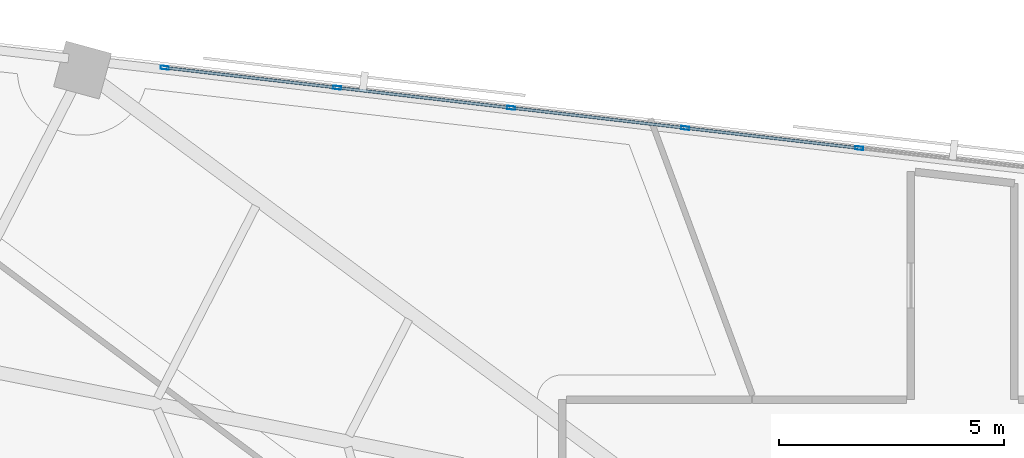
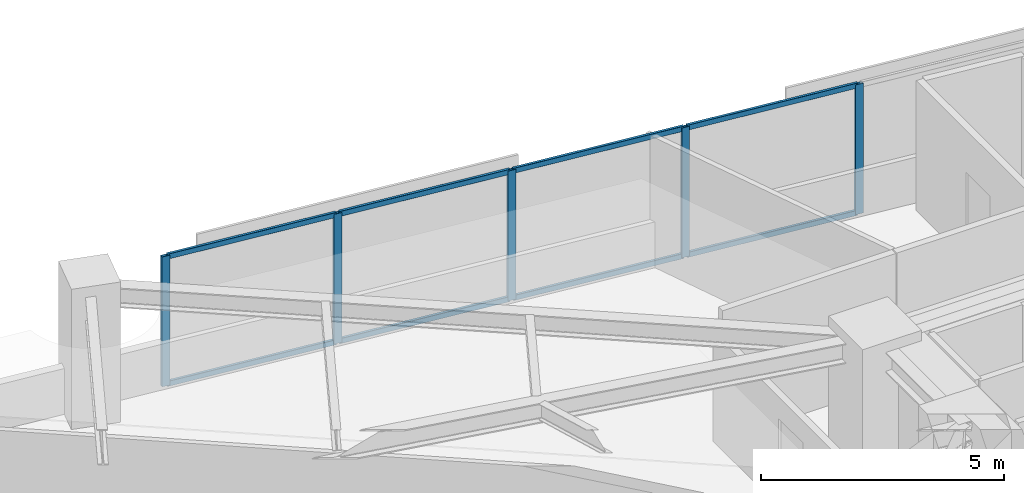
# One storey, part 7 of 13: 13 members, 1 element without a shape of its own.
"""IFC4 building model written with IfcOpenShell, lengths in metres."""

from ifc_helpers import new_model, si_unit, direction, frame, origin, origin_2d, place, context, subcontext, project, spatial, hollow_rectangle, extrude, material, material_profile, profile_set, type_object, element, aggregate, save


model = new_model("IFC4")

# Units and contexts
model_context = context("Model", 3, precision=1e-05, world=origin(), true_north=direction((0.0, 1.0)))
body_context = subcontext(model_context, "Body", "Model", "MODEL_VIEW")
ifc_project = project(units=[si_unit("LENGTHUNIT", "METRE"), si_unit("AREAUNIT", "SQUARE_METRE"), si_unit("VOLUMEUNIT", "CUBIC_METRE"), si_unit("PLANEANGLEUNIT", "RADIAN"), si_unit("MASSUNIT", "GRAM", prefix="KILO")], contexts=[model_context])

# Site, building, storey
site_placement = place(None, origin())
site = spatial("IfcSite", under=ifc_project, at=site_placement, CompositionType="ELEMENT")
building_placement = place(site_placement, origin())
building = spatial("IfcBuilding", under=site, at=building_placement, Name="Narakoshi Arena Tower", CompositionType="ELEMENT")
storey_placement = place(building_placement, frame((0.0, 0.0, 222.02001953125)))
storey = spatial("IfcBuildingStorey", under=building, at=storey_placement, Name="L60", CompositionType="ELEMENT", Elevation=222.02001953125)

# Curtain wall, members
ifc_material = material(Name="Anodised bronze aluminium 6063-T6", Category="aluminium")
curtain_wall_type = type_object("IfcCurtainWallType", Name="CW-HYP-MID", PredefinedType="NOTDEFINED", material=ifc_material)
curtain_wall_placement = place(storey_placement, origin())
curtain_wall = element("IfcCurtainWall", 1, at=curtain_wall_placement, inside=storey, type_object=curtain_wall_type, Name="L60 Folded Hypotenuse Curtain Wall 2-1", PredefinedType="NOTDEFINED")
ifc_material_profile_1 = material_profile(ifc_material, hollow_rectangle(XDim=0.074951171875, YDim=0.179931640625, WallThickness=0.00390625, OuterFilletRadius=0.0048828125, at=origin_2d()), Name="MUL180x75x4")
ifc_profile_set_1 = profile_set([ifc_material_profile_1], Name="Anodised bronze aluminium 6063-T6")
member_type_1 = type_object("IfcMemberType", Name="MEM-MUL-180", PredefinedType="MULLION", material=ifc_profile_set_1)
member_1_placement = place(storey_placement, frame((76.20068359375, 64.446533203125, 0.0), z_axis=(0.0, 0.0, 1.0), x_axis=(-0.115011296816, -0.993364183774, 0.0)))
member_1 = element("IfcMember", 2, at=member_1_placement, type_object=member_type_1, Name="CW-02 mullion 3", PredefinedType="MULLION", context=body_context, shape_type="SweptSolid", body=[
    extrude(hollow_rectangle(XDim=0.074951171875, YDim=0.179931640625, WallThickness=0.00390625, OuterFilletRadius=0.0048828125, at=origin_2d()), origin(), (0.0, 0.0, 1.0), 3.260009765625),
])
member_2_placement = place(storey_placement, frame((72.33154296875, 64.894287109375, 0.0), z_axis=(0.0, 0.0, 1.0), x_axis=(-0.115011296816, -0.993364183774, 0.0)))
member_2 = element("IfcMember", 3, at=member_2_placement, type_object=member_type_1, Name="CW-02 mullion 4", PredefinedType="MULLION", context=body_context, shape_type="SweptSolid", body=[
    extrude(hollow_rectangle(XDim=0.074951171875, YDim=0.179931640625, WallThickness=0.00390625, OuterFilletRadius=0.0048828125, at=origin_2d()), origin(), (0.0, 0.0, 1.0), 3.260009765625),
])
member_3_placement = place(storey_placement, frame((68.46240234375, 65.34228515625, 0.0), z_axis=(0.0, 0.0, 1.0), x_axis=(-0.115011296816, -0.993364183774, 0.0)))
member_3 = element("IfcMember", 4, at=member_3_placement, type_object=member_type_1, Name="CW-02 mullion 5", PredefinedType="MULLION", context=body_context, shape_type="SweptSolid", body=[
    extrude(hollow_rectangle(XDim=0.074951171875, YDim=0.179931640625, WallThickness=0.00390625, OuterFilletRadius=0.0048828125, at=origin_2d()), origin(), (0.0, 0.0, 1.0), 3.260009765625),
])
member_4_placement = place(storey_placement, frame((64.59326171875, 65.790283203125, 0.0), z_axis=(0.0, 0.0, 1.0), x_axis=(-0.115011296816, -0.993364183774, 0.0)))
member_4 = element("IfcMember", 5, at=member_4_placement, type_object=member_type_1, Name="CW-02 mullion 6", PredefinedType="MULLION", context=body_context, shape_type="SweptSolid", body=[
    extrude(hollow_rectangle(XDim=0.074951171875, YDim=0.179931640625, WallThickness=0.00390625, OuterFilletRadius=0.0048828125, at=origin_2d()), origin(), (0.0, 0.0, 1.0), 3.260009765625),
])
member_5_placement = place(storey_placement, frame((60.76123046875, 66.23388671875, 0.0), z_axis=(0.0, 0.0, 1.0), x_axis=(-0.115011296816, -0.993364183774, 0.0)))
member_5 = element("IfcMember", 6, at=member_5_placement, type_object=member_type_1, Name="CW-02 mullion 7", PredefinedType="MULLION", context=body_context, shape_type="SweptSolid", body=[
    extrude(hollow_rectangle(XDim=0.074951171875, YDim=0.179931640625, WallThickness=0.00390625, OuterFilletRadius=0.0048828125, at=origin_2d()), origin(), (0.0, 0.0, 1.0), 3.260009765625),
])
ifc_material_profile_2 = material_profile(ifc_material, hollow_rectangle(XDim=0.06494140625, YDim=0.1298828125, WallThickness=0.00390625, OuterFilletRadius=0.0048828125, at=origin_2d()), Name="TRN130x65x4")
ifc_profile_set_2 = profile_set([ifc_material_profile_2], Name="Anodised bronze aluminium 6063-T6")
member_type_2 = type_object("IfcMemberType", Name="MEM-TRN-130", PredefinedType="USERDEFINED", material=ifc_profile_set_2)
member_6_placement = place(storey_placement, frame((76.163330078125, 64.45068359375, 0.032470703125), z_axis=(-0.993360986362, 0.115038909828, 0.0), x_axis=(-0.115038909828, -0.993360986362, 0.0)))
member_6 = element("IfcMember", 7, at=member_6_placement, type_object=member_type_2, Name="CW-02 transom 3.1", ObjectType="TRANSOM", PredefinedType="USERDEFINED", context=body_context, shape_type="SweptSolid", body=[
    extrude(hollow_rectangle(XDim=0.06494140625, YDim=0.1298828125, WallThickness=0.00390625, OuterFilletRadius=0.0048828125, at=origin_2d()), origin(), (0.0, 0.0, 1.0), 3.820068359375),
])
member_7_placement = place(storey_placement, frame((76.163330078125, 64.45068359375, 3.2275390625), z_axis=(-0.993360986362, 0.115038909828, 0.0), x_axis=(-0.115038909828, -0.993360986362, 0.0)))
member_7 = element("IfcMember", 8, at=member_7_placement, type_object=member_type_2, Name="CW-02 transom 3.2", ObjectType="TRANSOM", PredefinedType="USERDEFINED", context=body_context, shape_type="SweptSolid", body=[
    extrude(hollow_rectangle(XDim=0.06494140625, YDim=0.1298828125, WallThickness=0.00390625, OuterFilletRadius=0.0048828125, at=origin_2d()), origin(), (0.0, 0.0, 1.0), 3.820068359375),
])
member_8_placement = place(storey_placement, frame((72.294189453125, 64.898681640625, 0.032470703125), z_axis=(-0.993360986362, 0.115038909828, 0.0), x_axis=(-0.115038909828, -0.993360986362, 0.0)))
member_8 = element("IfcMember", 9, at=member_8_placement, type_object=member_type_2, Name="CW-02 transom 4.1", ObjectType="TRANSOM", PredefinedType="USERDEFINED", context=body_context, shape_type="SweptSolid", body=[
    extrude(hollow_rectangle(XDim=0.06494140625, YDim=0.1298828125, WallThickness=0.00390625, OuterFilletRadius=0.0048828125, at=origin_2d()), origin(), (0.0, 0.0, 1.0), 3.820068359375),
])
member_9_placement = place(storey_placement, frame((72.294189453125, 64.898681640625, 3.2275390625), z_axis=(-0.993360986362, 0.115038909828, 0.0), x_axis=(-0.115038909828, -0.993360986362, 0.0)))
member_9 = element("IfcMember", 10, at=member_9_placement, type_object=member_type_2, Name="CW-02 transom 4.2", ObjectType="TRANSOM", PredefinedType="USERDEFINED", context=body_context, shape_type="SweptSolid", body=[
    extrude(hollow_rectangle(XDim=0.06494140625, YDim=0.1298828125, WallThickness=0.00390625, OuterFilletRadius=0.0048828125, at=origin_2d()), origin(), (0.0, 0.0, 1.0), 3.820068359375),
])
member_10_placement = place(storey_placement, frame((68.425048828125, 65.3466796875, 0.032470703125), z_axis=(-0.993360986362, 0.115038909828, 0.0), x_axis=(-0.115038909828, -0.993360986362, 0.0)))
member_10 = element("IfcMember", 11, at=member_10_placement, type_object=member_type_2, Name="CW-02 transom 5.1", ObjectType="TRANSOM", PredefinedType="USERDEFINED", context=body_context, shape_type="SweptSolid", body=[
    extrude(hollow_rectangle(XDim=0.06494140625, YDim=0.1298828125, WallThickness=0.00390625, OuterFilletRadius=0.0048828125, at=origin_2d()), origin(), (0.0, 0.0, 1.0), 3.820068359375),
])
member_11_placement = place(storey_placement, frame((68.425048828125, 65.3466796875, 3.2275390625), z_axis=(-0.993360986362, 0.115038909828, 0.0), x_axis=(-0.115038909828, -0.993360986362, 0.0)))
member_11 = element("IfcMember", 12, at=member_11_placement, type_object=member_type_2, Name="CW-02 transom 5.2", ObjectType="TRANSOM", PredefinedType="USERDEFINED", context=body_context, shape_type="SweptSolid", body=[
    extrude(hollow_rectangle(XDim=0.06494140625, YDim=0.1298828125, WallThickness=0.00390625, OuterFilletRadius=0.0048828125, at=origin_2d()), origin(), (0.0, 0.0, 1.0), 3.820068359375),
])
member_12_placement = place(storey_placement, frame((64.555908203125, 65.794677734375, 0.032470703125), z_axis=(-0.993363061903, 0.115020986115, 0.0), x_axis=(-0.115020986115, -0.993363061903, 0.0)))
member_12 = element("IfcMember", 13, at=member_12_placement, type_object=member_type_2, Name="CW-02 transom 6.1", ObjectType="TRANSOM", PredefinedType="USERDEFINED", context=body_context, shape_type="SweptSolid", body=[
    extrude(hollow_rectangle(XDim=0.06494140625, YDim=0.1298828125, WallThickness=0.00390625, OuterFilletRadius=0.0048828125, at=origin_2d()), origin(), (0.0, 0.0, 1.0), 3.782470703125),
])
member_13_placement = place(storey_placement, frame((64.555908203125, 65.794677734375, 3.2275390625), z_axis=(-0.993363061903, 0.115020986115, 0.0), x_axis=(-0.115020986115, -0.993363061903, 0.0)))
member_13 = element("IfcMember", 14, at=member_13_placement, type_object=member_type_2, Name="CW-02 transom 6.2", ObjectType="TRANSOM", PredefinedType="USERDEFINED", context=body_context, shape_type="SweptSolid", body=[
    extrude(hollow_rectangle(XDim=0.06494140625, YDim=0.1298828125, WallThickness=0.00390625, OuterFilletRadius=0.0048828125, at=origin_2d()), origin(), (0.0, 0.0, 1.0), 3.782470703125),
])
aggregate(curtain_wall, [member_1, member_2, member_3, member_4, member_5, member_6, member_7, member_8, member_9, member_10, member_11, member_12, member_13])

save(model, "model.ifc")
